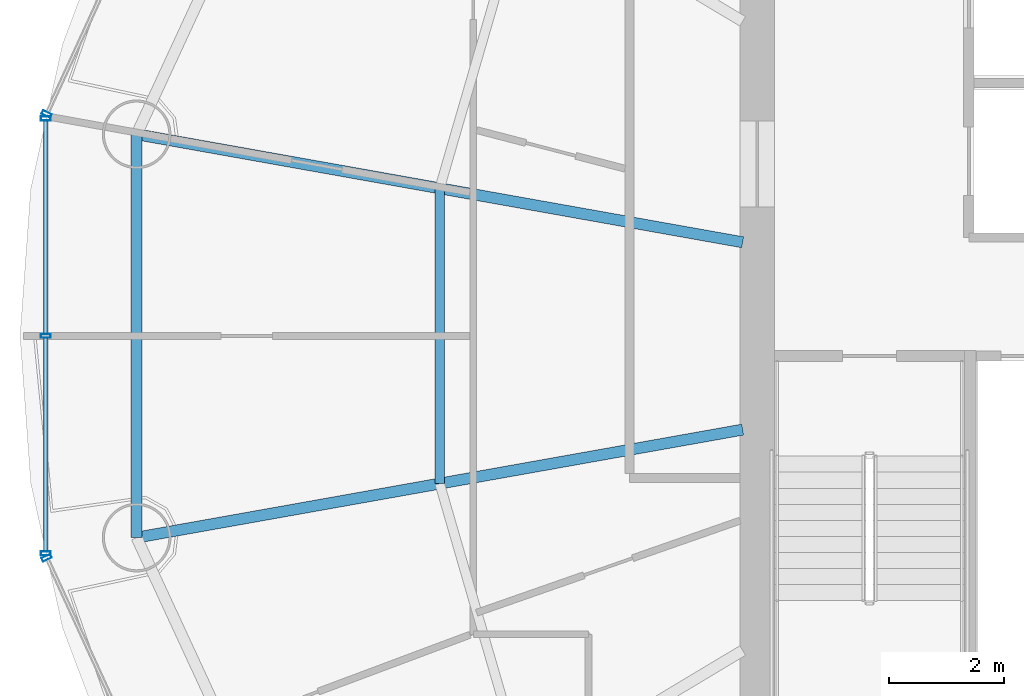
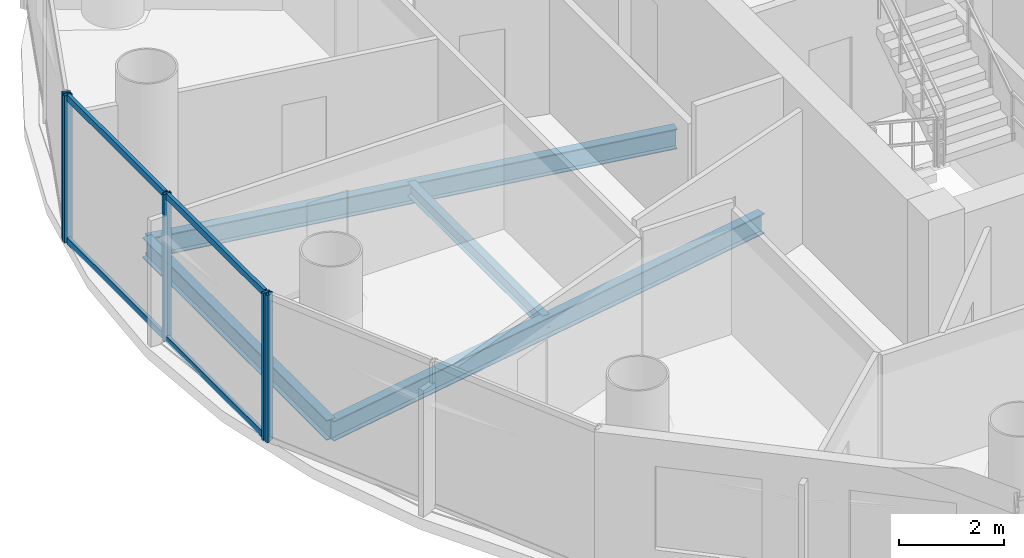
# One storey, part 8 of 26: 9 members, 4 beams, 3 elements without a shape of their own.
"""IFC4 building model written with IfcOpenShell, lengths in metres."""

from ifc_helpers import new_model, si_unit, direction, frame, origin, origin_2d, place, context, subcontext, project, spatial, hollow_rectangle, i_section, extrude, source, transform, mapped, material, material_profile, profile_set, type_object, element, aggregate, save


model = new_model("IFC4")

# Units and contexts
model_context = context("Model", 3, precision=1e-05, world=origin(), true_north=direction((-0.2419218956, 0.970295726276)))
body_context = subcontext(model_context, "Body", "Model", "MODEL_VIEW")
ifc_project = project(units=[si_unit("LENGTHUNIT", "METRE"), si_unit("AREAUNIT", "SQUARE_METRE"), si_unit("VOLUMEUNIT", "CUBIC_METRE"), si_unit("PLANEANGLEUNIT", "RADIAN"), si_unit("MASSUNIT", "GRAM", prefix="KILO")], contexts=[model_context])

# Site, building, storey
site_placement = place(None, origin())
site = spatial("IfcSite", under=ifc_project, at=site_placement, CompositionType="ELEMENT")
building_placement = place(site_placement, origin())
building = spatial("IfcBuilding", under=site, at=building_placement, Name="Cobrevalo Terracotta Tower", CompositionType="ELEMENT")
storey_placement = place(building_placement, frame((0.0, 0.0, 224.5)))
storey = spatial("IfcBuildingStorey", under=building, at=storey_placement, Name="L59", CompositionType="ELEMENT", Elevation=224.5)

# Beams
ifc_material_1 = material(Name="Steel S355", Category="steel")
ifc_material_profile_1 = material_profile(ifc_material_1, i_section(OverallWidth=0.194091796875, OverallDepth=0.468994140625, WebThickness=0.011474609375, FlangeThickness=0.0205078125, at=origin_2d()), Name="W 460x106")
ifc_profile_set_1 = profile_set([ifc_material_profile_1], Name="Steel S355")
beam_type_1 = type_object("IfcBeamType", Name="Structural Beam W 460x106 (Steel S355)", PredefinedType="BEAM", material=ifc_profile_set_1)
for number, where, z_axis, x_axis, name in (
    (1, (18.237060546875, 30.3212890625, -0.49951171875), (0.98449712063, -0.175400739656, 0.0), (0.175400739656, 0.98449712063, 0.0), "L59 radial floor girder 08"),
    (2, (18.237060546875, 23.278564453125, -0.49951171875), (0.984493198547, 0.175422752274, 0.0), (-0.175422752274, 0.984493198547, 0.0), "L59 radial floor girder 09"),
):
    element("IfcBeam", number, at=place(storey_placement, frame(where, z_axis=z_axis, x_axis=x_axis)), inside=storey, type_object=beam_type_1, Name=name, PredefinedType="BEAM", context=body_context, shape_type="SweptSolid", body=[
        extrude(i_section(OverallWidth=0.194091796875, OverallDepth=0.468994140625, WebThickness=0.011474609375, FlangeThickness=0.0205078125, at=origin_2d()), origin(), (0.0, 0.0, 1.0), 10.749755859375),
    ])
ifc_material_profile_2 = material_profile(ifc_material_1, i_section(OverallWidth=0.1650390625, OverallDepth=0.31005859375, WebThickness=0.005859375, FlangeThickness=0.009765625, at=origin_2d()), Name="W 310x38.7")
ifc_profile_set_2 = profile_set([ifc_material_profile_2], Name="Steel S355")
beam_type_2 = type_object("IfcBeamType", Name="Structural Joist W 310x38.7 (Steel S355)", PredefinedType="JOIST", material=ifc_profile_set_2)
beam_1_placement = place(storey_placement, frame((23.528564453125, 29.378662109375, -0.419921875), z_axis=(0.0, -1.0, 0.0), x_axis=(1.0, 0.0, 0.0)))
element("IfcBeam", 3, at=beam_1_placement, inside=storey, type_object=beam_type_2, Name="L59 circumferential secondary floor joist 08", PredefinedType="JOIST", context=body_context, shape_type="SweptSolid", body=[
    extrude(i_section(OverallWidth=0.1650390625, OverallDepth=0.31005859375, WebThickness=0.005859375, FlangeThickness=0.009765625, at=origin_2d()), origin(), (0.0, 0.0, 1.0), 5.1572265625),
])
ifc_material_profile_3 = material_profile(ifc_material_1, i_section(OverallWidth=0.194091796875, OverallDepth=0.468994140625, WebThickness=0.011474609375, FlangeThickness=0.0205078125, at=origin_2d()), Name="W 460x106")
ifc_profile_set_3 = profile_set([ifc_material_profile_3], Name="Steel S355")
beam_type_3 = type_object("IfcBeamType", Name="Structural Spandrel W 460x106 (Steel S355)", PredefinedType="SPANDREL", material=ifc_profile_set_3)
beam_2_placement = place(storey_placement, frame((18.237060546875, 30.3212890625, -0.49951171875), z_axis=(0.0, -1.0, 0.0), x_axis=(1.0, 0.0, 0.0)))
element("IfcBeam", 4, at=beam_2_placement, inside=storey, type_object=beam_type_3, Name="L59 perimeter ring spandrel 08", PredefinedType="SPANDREL", context=body_context, shape_type="SweptSolid", body=[
    extrude(i_section(OverallWidth=0.194091796875, OverallDepth=0.468994140625, WebThickness=0.011474609375, FlangeThickness=0.0205078125, at=origin_2d()), origin(), (0.0, 0.0, 1.0), 7.042724609375),
])

# Curtain wall, members
ifc_material_2 = material(Name="Anodized aluminium", Category="aluminium")
curtain_wall_type = type_object("IfcCurtainWallType", Name="Mid-tower high-wind unitised curtain wall CW-U2", PredefinedType="NOTDEFINED", material=ifc_material_2)
curtain_wall_1_placement = place(storey_placement, origin())
curtain_wall_1 = element("IfcCurtainWall", 5, at=curtain_wall_1_placement, inside=storey, type_object=curtain_wall_type, Name="L59 curtain wall CW-L59-S08", PredefinedType="NOTDEFINED")
ifc_material_profile_4 = material_profile(ifc_material_2, hollow_rectangle(XDim=0.074951171875, YDim=0.14990234375, WallThickness=0.00439453125, at=origin_2d()), Name="CWT 75x150")
ifc_profile_set_4 = profile_set([ifc_material_profile_4], Name="Anodized aluminium")
member_type_1 = type_object("IfcMemberType", Name="Tower unitised aluminium transom 75x150", PredefinedType="USERDEFINED", material=ifc_profile_set_4)
shared_shape_1 = source(origin(), body_context, "Body", "SweptSolid", [
    extrude(hollow_rectangle(XDim=0.074951171875, YDim=0.14990234375, WallThickness=0.00439453125, at=origin_2d()), origin(), (0.0, 0.0, 1.0), 3.71728515625),
])
member_1_placement = place(storey_placement, frame((16.648193359375, 30.557373046875, 0.050048828125), z_axis=(0.0, -1.0, 0.0), x_axis=(1.0, 0.0, 0.0)))
member_1 = element("IfcMember", 6, at=member_1_placement, type_object=member_type_1, Name="CW-L59-S08 transom B01-T1", ObjectType="TRANSOM", PredefinedType="USERDEFINED", context=body_context, shape_type="MappedRepresentation", body=[
    mapped(shared_shape_1, transform((0.0, 0.0, 0.0), scale=1.0)),
])
member_2_placement = place(storey_placement, frame((16.648193359375, 30.557373046875, 3.385009765625), z_axis=(0.0, -1.0, 0.0), x_axis=(1.0, 0.0, 0.0)))
member_2 = element("IfcMember", 7, at=member_2_placement, type_object=member_type_1, Name="CW-L59-S08 transom B01-T2", ObjectType="TRANSOM", PredefinedType="USERDEFINED", context=body_context, shape_type="MappedRepresentation", body=[
    mapped(shared_shape_1, transform((0.0, 0.0, 0.0), scale=1.0)),
])
shared_shape_2 = source(origin(), body_context, "Body", "SweptSolid", [
    extrude(hollow_rectangle(XDim=0.074951171875, YDim=0.14990234375, WallThickness=0.00439453125, at=origin_2d()), origin(), (0.0, 0.0, 1.0), 3.717529296875),
])
member_3_placement = place(storey_placement, frame((16.648193359375, 26.760009765625, 0.050048828125), z_axis=(0.0, -1.0, 0.0), x_axis=(1.0, 0.0, 0.0)))
member_3 = element("IfcMember", 8, at=member_3_placement, type_object=member_type_1, Name="CW-L59-S08 transom B02-T1", ObjectType="TRANSOM", PredefinedType="USERDEFINED", context=body_context, shape_type="MappedRepresentation", body=[
    mapped(shared_shape_2, transform((0.0, 0.0, 0.0), scale=1.0)),
])
member_4_placement = place(storey_placement, frame((16.648193359375, 26.760009765625, 3.385009765625), z_axis=(0.0, -1.0, 0.0), x_axis=(1.0, 0.0, 0.0)))
member_4 = element("IfcMember", 9, at=member_4_placement, type_object=member_type_1, Name="CW-L59-S08 transom B02-T2", ObjectType="TRANSOM", PredefinedType="USERDEFINED", context=body_context, shape_type="MappedRepresentation", body=[
    mapped(shared_shape_2, transform((0.0, 0.0, 0.0), scale=1.0)),
])

# Curtain wall, member
curtain_wall_2_placement = place(storey_placement, origin())
curtain_wall_2 = element("IfcCurtainWall", 10, at=curtain_wall_2_placement, inside=storey, type_object=curtain_wall_type, Name="L59 curtain wall CW-L59-S07", PredefinedType="NOTDEFINED")
ifc_material_profile_5 = material_profile(ifc_material_2, hollow_rectangle(XDim=0.070068359375, YDim=0.169921875, WallThickness=0.00439453125, at=origin_2d()), Name="CWM 70x170")
ifc_profile_set_5 = profile_set([ifc_material_profile_5], Name="Anodized aluminium")
member_type_2 = type_object("IfcMemberType", Name="Upper tower unitised mullion 70x170", PredefinedType="MULLION", material=ifc_profile_set_5)
shared_shape_3 = source(origin(), body_context, "Body", "SweptSolid", [
    extrude(hollow_rectangle(XDim=0.070068359375, YDim=0.169921875, WallThickness=0.00439453125, at=origin_2d()), origin(), (0.0, 0.0, 1.0), 3.43505859375),
])
member_5_placement = place(storey_placement, frame((16.6650390625, 30.673828125, 0.0), z_axis=(0.0, 0.0, 1.0), x_axis=(-0.41672507912, -0.909032567311, 0.0)))
member_5 = element("IfcMember", 11, at=member_5_placement, type_object=member_type_2, Name="CW-L59-S07 vertical mullion 03", PredefinedType="MULLION", context=body_context, shape_type="MappedRepresentation", body=[
    mapped(shared_shape_3, transform((0.0, 0.0, 0.0), scale=1.0)),
])
aggregate(curtain_wall_2, [member_5])

# Member
member_6_placement = place(storey_placement, frame((16.648193359375, 30.597412109375, 0.0), z_axis=(0.0, 0.0, 1.0), x_axis=(0.0, -1.0, 0.0)))
member_6 = element("IfcMember", 12, at=member_6_placement, type_object=member_type_2, Name="CW-L59-S08 vertical mullion 01", PredefinedType="MULLION", context=body_context, shape_type="MappedRepresentation", body=[
    mapped(shared_shape_3, transform((0.0, 0.0, 0.0), scale=1.0)),
])

member_7_placement = place(storey_placement, frame((16.648193359375, 26.800048828125, 0.0), z_axis=(0.0, 0.0, 1.0), x_axis=(0.0, -1.0, 0.0)))
member_7 = element("IfcMember", 13, at=member_7_placement, type_object=member_type_2, Name="CW-L59-S08 vertical mullion 02", PredefinedType="MULLION", context=body_context, shape_type="MappedRepresentation", body=[
    mapped(shared_shape_3, transform((0.0, 0.0, 0.0), scale=1.0)),
])

member_8_placement = place(storey_placement, frame((16.648193359375, 23.002685546875, 0.0), z_axis=(0.0, 0.0, 1.0), x_axis=(0.0, -1.0, 0.0)))
member_8 = element("IfcMember", 14, at=member_8_placement, type_object=member_type_2, Name="CW-L59-S08 vertical mullion 03", PredefinedType="MULLION", context=body_context, shape_type="MappedRepresentation", body=[
    mapped(shared_shape_3, transform((0.0, 0.0, 0.0), scale=1.0)),
])

aggregate(curtain_wall_1, [member_6, member_7, member_8, member_1, member_2, member_3, member_4])

# Curtain wall, member
curtain_wall_3_placement = place(storey_placement, origin())
curtain_wall_3 = element("IfcCurtainWall", 15, at=curtain_wall_3_placement, inside=storey, type_object=curtain_wall_type, Name="L59 curtain wall CW-L59-S09", PredefinedType="NOTDEFINED")
member_9_placement = place(storey_placement, frame((16.6650390625, 22.92626953125, 0.0), z_axis=(0.0, 0.0, 1.0), x_axis=(0.41672507912, -0.909032567311, 0.0)))
member_9 = element("IfcMember", 16, at=member_9_placement, type_object=member_type_2, Name="CW-L59-S09 vertical mullion 01", PredefinedType="MULLION", context=body_context, shape_type="MappedRepresentation", body=[
    mapped(shared_shape_3, transform((0.0, 0.0, 0.0), scale=1.0)),
])
aggregate(curtain_wall_3, [member_9])

save(model, "model.ifc")
